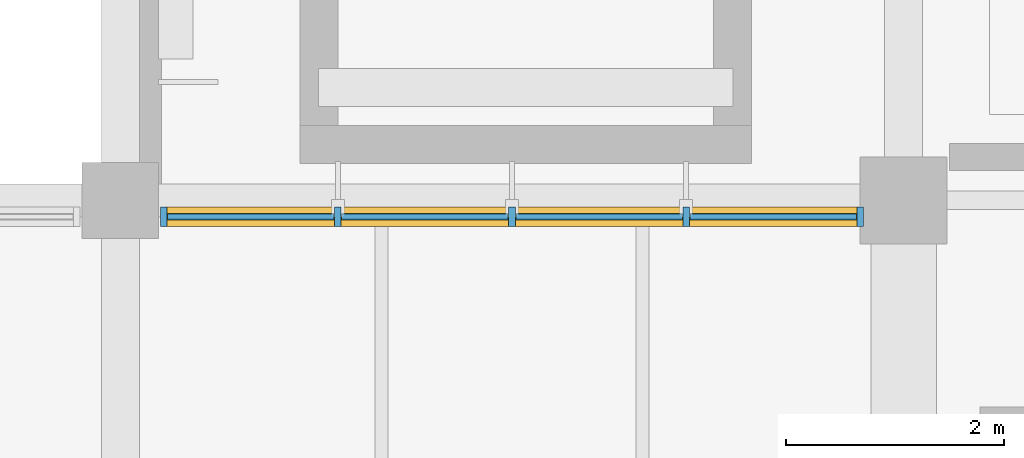
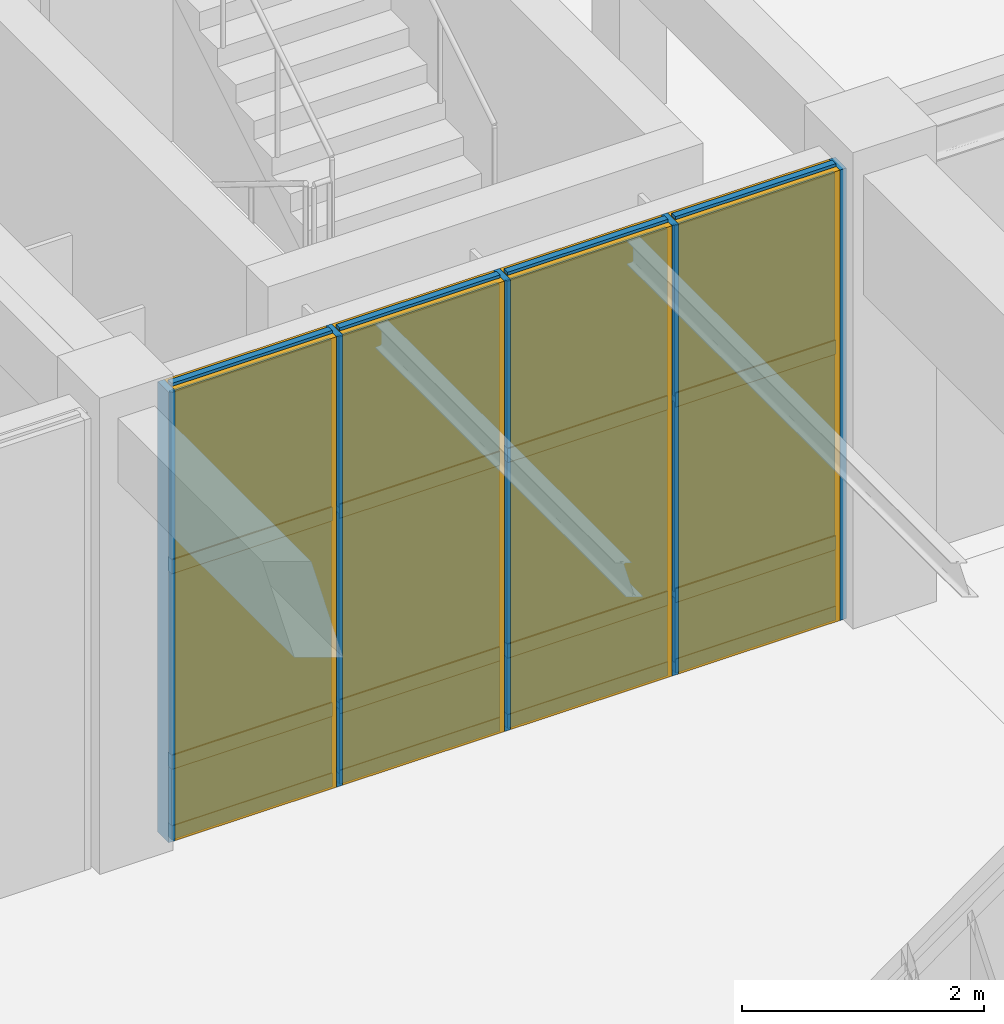
# One storey, part 76 of 122: 21 members, 12 plates, 1 curtain wall.
"""IFC4 building model written with IfcOpenShell, lengths in metres."""

from ifc_helpers import new_model, si_unit, direction, frame, frame_2d, origin, origin_2d, place, context, subcontext, project, spatial, rectangle, extrude, material, layer, layer_set, material_profile, profile_set, type_object, element, aggregate, save


model = new_model("IFC4")

# Units and contexts
model_context = context("Model", 3, precision=1e-05, world=origin(), true_north=direction((0.0, 1.0)))
body_context = subcontext(model_context, "Body", "Model", "MODEL_VIEW")
ifc_project = project(units=[si_unit("LENGTHUNIT", "METRE"), si_unit("AREAUNIT", "SQUARE_METRE"), si_unit("VOLUMEUNIT", "CUBIC_METRE"), si_unit("PLANEANGLEUNIT", "RADIAN"), si_unit("MASSUNIT", "GRAM", prefix="KILO")], contexts=[model_context])

# Member
ifc_material_1 = material(Name="Anodised Bronze Aluminium 6063-T6", Category="aluminium")
ifc_material_profile_1 = material_profile(ifc_material_1, rectangle(XDim=0.06005859375, YDim=0.179931640625, at=origin_2d()), Name="ALU MULLION 60x180")
ifc_profile_set_1 = profile_set([ifc_material_profile_1], Name="Anodised Bronze Aluminium 6063-T6")
member_type_1 = type_object("IfcMemberType", Name="Curtain-Wall Primary Mullion 60x180", PredefinedType="MULLION", material=ifc_profile_set_1)
site_placement = place(None, origin())
building_placement = place(site_placement, origin())
storey_placement = place(building_placement, origin())
member_1_placement = place(storey_placement, frame((50.800048828125, 51.64990234375, 0.0), z_axis=(0.0, 0.0, 1.0), x_axis=(1.0, 0.0, 0.0)))
member_1 = element("IfcMember", 1, at=member_1_placement, type_object=member_type_1, Name="Mullion CWM-01 CW-WLNK-N-L00-B4-M01", PredefinedType="MULLION", context=body_context, shape_type="SweptSolid", body=[
    extrude(rectangle(XDim=0.06005859375, YDim=0.179931640625, at=origin_2d()), origin(), (0.0, 0.0, 1.0), 4.5400390625),
])

member_2_placement = place(storey_placement, frame((52.39990234375, 51.64990234375, 0.0), z_axis=(0.0, 0.0, 1.0), x_axis=(1.0, 0.0, 0.0)))
member_2 = element("IfcMember", 2, at=member_2_placement, type_object=member_type_1, Name="Mullion CWM-01 CW-WLNK-N-L00-B4-M02", PredefinedType="MULLION", context=body_context, shape_type="SweptSolid", body=[
    extrude(rectangle(XDim=0.06005859375, YDim=0.179931640625, at=origin_2d()), origin(), (0.0, 0.0, 1.0), 4.5400390625),
])

member_3_placement = place(storey_placement, frame((54.0, 51.64990234375, 0.0), z_axis=(0.0, 0.0, 1.0), x_axis=(1.0, 0.0, 0.0)))
member_3 = element("IfcMember", 3, at=member_3_placement, type_object=member_type_1, Name="Mullion CWM-01 CW-WLNK-N-L00-B4-M03", PredefinedType="MULLION", context=body_context, shape_type="SweptSolid", body=[
    extrude(rectangle(XDim=0.06005859375, YDim=0.179931640625, at=origin_2d()), origin(), (0.0, 0.0, 1.0), 4.5400390625),
])

member_4_placement = place(storey_placement, frame((55.60009765625, 51.64990234375, 0.0), z_axis=(0.0, 0.0, 1.0), x_axis=(1.0, 0.0, 0.0)))
member_4 = element("IfcMember", 4, at=member_4_placement, type_object=member_type_1, Name="Mullion CWM-01 CW-WLNK-N-L00-B4-M04", PredefinedType="MULLION", context=body_context, shape_type="SweptSolid", body=[
    extrude(rectangle(XDim=0.06005859375, YDim=0.179931640625, at=origin_2d()), origin(), (0.0, 0.0, 1.0), 4.5400390625),
])

member_5_placement = place(storey_placement, frame((57.199951171875, 51.64990234375, 0.0), z_axis=(0.0, 0.0, 1.0), x_axis=(1.0, 0.0, 0.0)))
member_5 = element("IfcMember", 5, at=member_5_placement, type_object=member_type_1, Name="Mullion CWM-01 CW-WLNK-N-L00-B4-M05", PredefinedType="MULLION", context=body_context, shape_type="SweptSolid", body=[
    extrude(rectangle(XDim=0.06005859375, YDim=0.179931640625, at=origin_2d()), origin(), (0.0, 0.0, 1.0), 4.5400390625),
])

ifc_material_profile_2 = material_profile(ifc_material_1, rectangle(XDim=0.06005859375, YDim=0.139892578125, at=origin_2d()), Name="ALU TRANSOM 60x140")
ifc_profile_set_2 = profile_set([ifc_material_profile_2], Name="Anodised Bronze Aluminium 6063-T6")
member_type_2 = type_object("IfcMemberType", Name="Curtain-Wall Transom 60x140", PredefinedType="USERDEFINED", material=ifc_profile_set_2)
member_6_placement = place(storey_placement, frame((50.8349609375, 51.64990234375, 0.0400390625), z_axis=(1.0, 0.0, 0.0), x_axis=(0.0, 1.0, 0.0)))
member_6 = element("IfcMember", 6, at=member_6_placement, type_object=member_type_2, Name="Transom CWT-01 CW-WLNK-N-L00-B4-T01.1", ObjectType="TRANSOM", PredefinedType="USERDEFINED", context=body_context, shape_type="SweptSolid", body=[
    extrude(rectangle(XDim=0.06005859375, YDim=0.139892578125, at=origin_2d()), origin(), (0.0, 0.0, 1.0), 1.530029296875),
])

member_7_placement = place(storey_placement, frame((50.8349609375, 51.64990234375, 0.75), z_axis=(1.0, 0.0, 0.0), x_axis=(0.0, 1.0, 0.0)))
member_7 = element("IfcMember", 7, at=member_7_placement, type_object=member_type_2, Name="Transom CWT-01 CW-WLNK-N-L00-B4-T01.2", ObjectType="TRANSOM", PredefinedType="USERDEFINED", context=body_context, shape_type="SweptSolid", body=[
    extrude(rectangle(XDim=0.06005859375, YDim=0.139892578125, at=origin_2d()), origin(), (0.0, 0.0, 1.0), 1.530029296875),
])

member_8_placement = place(storey_placement, frame((50.8349609375, 51.64990234375, 2.720703125), z_axis=(1.0, 0.0, 0.0), x_axis=(0.0, 1.0, 0.0)))
member_8 = element("IfcMember", 8, at=member_8_placement, type_object=member_type_2, Name="Transom CWT-01 CW-WLNK-N-L00-B4-T01.3", ObjectType="TRANSOM", PredefinedType="USERDEFINED", context=body_context, shape_type="SweptSolid", body=[
    extrude(rectangle(XDim=0.06005859375, YDim=0.139892578125, at=origin_2d()), origin(), (0.0, 0.0, 1.0), 1.530029296875),
])

member_9_placement = place(storey_placement, frame((50.8349609375, 51.64990234375, 4.5), z_axis=(1.0, 0.0, 0.0), x_axis=(0.0, 1.0, 0.0)))
member_9 = element("IfcMember", 9, at=member_9_placement, type_object=member_type_2, Name="Transom CWT-01 CW-WLNK-N-L00-B4-T01.4", ObjectType="TRANSOM", PredefinedType="USERDEFINED", context=body_context, shape_type="SweptSolid", body=[
    extrude(rectangle(XDim=0.06005859375, YDim=0.139892578125, at=origin_2d()), origin(), (0.0, 0.0, 1.0), 1.530029296875),
])

member_10_placement = place(storey_placement, frame((52.43505859375, 51.64990234375, 0.0400390625), z_axis=(1.0, 0.0, 0.0), x_axis=(0.0, 1.0, 0.0)))
member_10 = element("IfcMember", 10, at=member_10_placement, type_object=member_type_2, Name="Transom CWT-01 CW-WLNK-N-L00-B4-T02.1", ObjectType="TRANSOM", PredefinedType="USERDEFINED", context=body_context, shape_type="SweptSolid", body=[
    extrude(rectangle(XDim=0.06005859375, YDim=0.139892578125, at=origin_2d()), origin(), (0.0, 0.0, 1.0), 1.530029296875),
])

member_11_placement = place(storey_placement, frame((52.43505859375, 51.64990234375, 0.75), z_axis=(1.0, 0.0, 0.0), x_axis=(0.0, 1.0, 0.0)))
member_11 = element("IfcMember", 11, at=member_11_placement, type_object=member_type_2, Name="Transom CWT-01 CW-WLNK-N-L00-B4-T02.2", ObjectType="TRANSOM", PredefinedType="USERDEFINED", context=body_context, shape_type="SweptSolid", body=[
    extrude(rectangle(XDim=0.06005859375, YDim=0.139892578125, at=origin_2d()), origin(), (0.0, 0.0, 1.0), 1.530029296875),
])

member_12_placement = place(storey_placement, frame((52.43505859375, 51.64990234375, 2.720703125), z_axis=(1.0, 0.0, 0.0), x_axis=(0.0, 1.0, 0.0)))
member_12 = element("IfcMember", 12, at=member_12_placement, type_object=member_type_2, Name="Transom CWT-01 CW-WLNK-N-L00-B4-T02.3", ObjectType="TRANSOM", PredefinedType="USERDEFINED", context=body_context, shape_type="SweptSolid", body=[
    extrude(rectangle(XDim=0.06005859375, YDim=0.139892578125, at=origin_2d()), origin(), (0.0, 0.0, 1.0), 1.530029296875),
])

member_13_placement = place(storey_placement, frame((52.43505859375, 51.64990234375, 4.5), z_axis=(1.0, 0.0, 0.0), x_axis=(0.0, 1.0, 0.0)))
member_13 = element("IfcMember", 13, at=member_13_placement, type_object=member_type_2, Name="Transom CWT-01 CW-WLNK-N-L00-B4-T02.4", ObjectType="TRANSOM", PredefinedType="USERDEFINED", context=body_context, shape_type="SweptSolid", body=[
    extrude(rectangle(XDim=0.06005859375, YDim=0.139892578125, at=origin_2d()), origin(), (0.0, 0.0, 1.0), 1.530029296875),
])

member_14_placement = place(storey_placement, frame((54.034912109375, 51.64990234375, 0.0400390625), z_axis=(1.0, 0.0, 0.0), x_axis=(0.0, 1.0, 0.0)))
member_14 = element("IfcMember", 14, at=member_14_placement, type_object=member_type_2, Name="Transom CWT-01 CW-WLNK-N-L00-B4-T03.1", ObjectType="TRANSOM", PredefinedType="USERDEFINED", context=body_context, shape_type="SweptSolid", body=[
    extrude(rectangle(XDim=0.06005859375, YDim=0.139892578125, at=origin_2d()), origin(), (0.0, 0.0, 1.0), 1.530029296875),
])

member_15_placement = place(storey_placement, frame((54.034912109375, 51.64990234375, 0.75), z_axis=(1.0, 0.0, 0.0), x_axis=(0.0, 1.0, 0.0)))
member_15 = element("IfcMember", 15, at=member_15_placement, type_object=member_type_2, Name="Transom CWT-01 CW-WLNK-N-L00-B4-T03.2", ObjectType="TRANSOM", PredefinedType="USERDEFINED", context=body_context, shape_type="SweptSolid", body=[
    extrude(rectangle(XDim=0.06005859375, YDim=0.139892578125, at=origin_2d()), origin(), (0.0, 0.0, 1.0), 1.530029296875),
])

member_16_placement = place(storey_placement, frame((54.034912109375, 51.64990234375, 2.720703125), z_axis=(1.0, 0.0, 0.0), x_axis=(0.0, 1.0, 0.0)))
member_16 = element("IfcMember", 16, at=member_16_placement, type_object=member_type_2, Name="Transom CWT-01 CW-WLNK-N-L00-B4-T03.3", ObjectType="TRANSOM", PredefinedType="USERDEFINED", context=body_context, shape_type="SweptSolid", body=[
    extrude(rectangle(XDim=0.06005859375, YDim=0.139892578125, at=origin_2d()), origin(), (0.0, 0.0, 1.0), 1.530029296875),
])

member_17_placement = place(storey_placement, frame((54.034912109375, 51.64990234375, 4.5), z_axis=(1.0, 0.0, 0.0), x_axis=(0.0, 1.0, 0.0)))
member_17 = element("IfcMember", 17, at=member_17_placement, type_object=member_type_2, Name="Transom CWT-01 CW-WLNK-N-L00-B4-T03.4", ObjectType="TRANSOM", PredefinedType="USERDEFINED", context=body_context, shape_type="SweptSolid", body=[
    extrude(rectangle(XDim=0.06005859375, YDim=0.139892578125, at=origin_2d()), origin(), (0.0, 0.0, 1.0), 1.530029296875),
])

member_18_placement = place(storey_placement, frame((55.635009765625, 51.64990234375, 0.0400390625), z_axis=(1.0, 0.0, 0.0), x_axis=(0.0, 1.0, 0.0)))
member_18 = element("IfcMember", 18, at=member_18_placement, type_object=member_type_2, Name="Transom CWT-01 CW-WLNK-N-L00-B4-T04.1", ObjectType="TRANSOM", PredefinedType="USERDEFINED", context=body_context, shape_type="SweptSolid", body=[
    extrude(rectangle(XDim=0.06005859375, YDim=0.139892578125, at=origin_2d()), origin(), (0.0, 0.0, 1.0), 1.530029296875),
])

member_19_placement = place(storey_placement, frame((55.635009765625, 51.64990234375, 0.75), z_axis=(1.0, 0.0, 0.0), x_axis=(0.0, 1.0, 0.0)))
member_19 = element("IfcMember", 19, at=member_19_placement, type_object=member_type_2, Name="Transom CWT-01 CW-WLNK-N-L00-B4-T04.2", ObjectType="TRANSOM", PredefinedType="USERDEFINED", context=body_context, shape_type="SweptSolid", body=[
    extrude(rectangle(XDim=0.06005859375, YDim=0.139892578125, at=origin_2d()), origin(), (0.0, 0.0, 1.0), 1.530029296875),
])

member_20_placement = place(storey_placement, frame((55.635009765625, 51.64990234375, 2.720703125), z_axis=(1.0, 0.0, 0.0), x_axis=(0.0, 1.0, 0.0)))
member_20 = element("IfcMember", 20, at=member_20_placement, type_object=member_type_2, Name="Transom CWT-01 CW-WLNK-N-L00-B4-T04.3", ObjectType="TRANSOM", PredefinedType="USERDEFINED", context=body_context, shape_type="SweptSolid", body=[
    extrude(rectangle(XDim=0.06005859375, YDim=0.139892578125, at=origin_2d()), origin(), (0.0, 0.0, 1.0), 1.530029296875),
])

member_21_placement = place(storey_placement, frame((55.635009765625, 51.64990234375, 4.5), z_axis=(1.0, 0.0, 0.0), x_axis=(0.0, 1.0, 0.0)))
member_21 = element("IfcMember", 21, at=member_21_placement, type_object=member_type_2, Name="Transom CWT-01 CW-WLNK-N-L00-B4-T04.4", ObjectType="TRANSOM", PredefinedType="USERDEFINED", context=body_context, shape_type="SweptSolid", body=[
    extrude(rectangle(XDim=0.06005859375, YDim=0.139892578125, at=origin_2d()), origin(), (0.0, 0.0, 1.0), 1.530029296875),
])

# Plate
ifc_material_2 = material(Name="Insulated Bronze Aluminium Spandrel Panel", Category="aluminium")
ifc_layer_1 = layer(ifc_material_2, 0.050048828125, Name="Insulated Bronze Aluminium Spandrel Panel")
ifc_layer_set_1 = layer_set([ifc_layer_1], Name="Insulated Bronze Aluminium Spandrel Panel")
plate_type_1 = type_object("IfcPlateType", Name="Insulated Anodised Aluminium Spandrel Cassette 50", PredefinedType="CURTAIN_PANEL", material=ifc_layer_set_1)
plate_1_placement = place(storey_placement, frame((51.60009765625, 51.64990234375, 0.070068359375), z_axis=(0.0, 0.0, 1.0), x_axis=(1.0, 0.0, 0.0)))
plate_1 = element("IfcPlate", 22, at=plate_1_placement, type_object=plate_type_1, Name="Curtain Panel CWP-03 CW-WLNK-N-L00-B4-P01.1", PredefinedType="CURTAIN_PANEL", context=body_context, shape_type="SweptSolid", body=[
    extrude(rectangle(XDim=1.530029296875, YDim=0.050048828125, at=origin_2d()), origin(), (0.0, 0.0, 1.0), 0.64990234375),
])

plate_2_placement = place(storey_placement, frame((53.199951171875, 51.64990234375, 0.070068359375), z_axis=(0.0, 0.0, 1.0), x_axis=(1.0, 0.0, 0.0)))
plate_2 = element("IfcPlate", 23, at=plate_2_placement, type_object=plate_type_1, Name="Curtain Panel CWP-03 CW-WLNK-N-L00-B4-P02.1", PredefinedType="CURTAIN_PANEL", context=body_context, shape_type="SweptSolid", body=[
    extrude(rectangle(XDim=1.530029296875, YDim=0.050048828125, at=origin_2d()), origin(), (0.0, 0.0, 1.0), 0.64990234375),
])

plate_3_placement = place(storey_placement, frame((54.800048828125, 51.64990234375, 0.070068359375), z_axis=(0.0, 0.0, 1.0), x_axis=(1.0, 0.0, 0.0)))
plate_3 = element("IfcPlate", 24, at=plate_3_placement, type_object=plate_type_1, Name="Curtain Panel CWP-03 CW-WLNK-N-L00-B4-P03.1", PredefinedType="CURTAIN_PANEL", context=body_context, shape_type="SweptSolid", body=[
    extrude(rectangle(XDim=1.530029296875, YDim=0.050048828125, at=origin_2d()), origin(), (0.0, 0.0, 1.0), 0.64990234375),
])

plate_4_placement = place(storey_placement, frame((56.39990234375, 51.64990234375, 0.070068359375), z_axis=(0.0, 0.0, 1.0), x_axis=(1.0, 0.0, 0.0)))
plate_4 = element("IfcPlate", 25, at=plate_4_placement, type_object=plate_type_1, Name="Curtain Panel CWP-03 CW-WLNK-N-L00-B4-P04.1", PredefinedType="CURTAIN_PANEL", context=body_context, shape_type="SweptSolid", body=[
    extrude(rectangle(XDim=1.530029296875, YDim=0.050048828125, at=origin_2d()), origin(), (0.0, 0.0, 1.0), 0.64990234375),
])

ifc_material_3 = material(Name="Solar-Control Tempered Double Glazing", Category="glass")
ifc_layer_2 = layer(ifc_material_3, 0.0380859375, Name="Solar-Control Tempered Double Glazing")
ifc_layer_set_2 = layer_set([ifc_layer_2], Name="Solar-Control Tempered Double Glazing")
plate_type_2 = type_object("IfcPlateType", Name="Solar-Control Vision Glazing Unit 38", PredefinedType="CURTAIN_PANEL", material=ifc_layer_set_2)
plate_5_placement = place(storey_placement, frame((51.60009765625, 51.64990234375, 0.77978515625), z_axis=(0.0, 0.0, 1.0), x_axis=(1.0, 0.0, 0.0)))
plate_5 = element("IfcPlate", 26, at=plate_5_placement, type_object=plate_type_2, Name="Curtain Panel CWP-02 CW-WLNK-N-L00-B4-P01.2", PredefinedType="CURTAIN_PANEL", context=body_context, shape_type="SweptSolid", body=[
    extrude(rectangle(XDim=1.530029296875, YDim=0.0380859375, at=origin_2d()), origin(), (0.0, 0.0, 1.0), 1.910888671875),
])

plate_6_placement = place(storey_placement, frame((51.60009765625, 51.64990234375, 2.750732421875), z_axis=(0.0, 0.0, 1.0), x_axis=(1.0, 0.0, 0.0)))
plate_6 = element("IfcPlate", 27, at=plate_6_placement, type_object=plate_type_2, Name="Curtain Panel CWP-02 CW-WLNK-N-L00-B4-P01.3", PredefinedType="CURTAIN_PANEL", context=body_context, shape_type="SweptSolid", body=[
    extrude(rectangle(XDim=1.530029296875, YDim=0.0380859375, at=origin_2d()), origin(), (0.0, 0.0, 1.0), 1.71923828125),
])

plate_7_placement = place(storey_placement, frame((53.199951171875, 51.64990234375, 0.77978515625), z_axis=(0.0, 0.0, 1.0), x_axis=(1.0, 0.0, 0.0)))
plate_7 = element("IfcPlate", 28, at=plate_7_placement, type_object=plate_type_2, Name="Curtain Panel CWP-02 CW-WLNK-N-L00-B4-P02.2", PredefinedType="CURTAIN_PANEL", context=body_context, shape_type="SweptSolid", body=[
    extrude(rectangle(XDim=1.530029296875, YDim=0.0380859375, at=origin_2d()), origin(), (0.0, 0.0, 1.0), 1.910888671875),
])

plate_8_placement = place(storey_placement, frame((53.199951171875, 51.64990234375, 2.750732421875), z_axis=(0.0, 0.0, 1.0), x_axis=(1.0, 0.0, 0.0)))
plate_8 = element("IfcPlate", 29, at=plate_8_placement, type_object=plate_type_2, Name="Curtain Panel CWP-02 CW-WLNK-N-L00-B4-P02.3", PredefinedType="CURTAIN_PANEL", context=body_context, shape_type="SweptSolid", body=[
    extrude(rectangle(XDim=1.530029296875, YDim=0.0380859375, at=origin_2d()), origin(), (0.0, 0.0, 1.0), 1.71923828125),
])

plate_9_placement = place(storey_placement, frame((54.800048828125, 51.64990234375, 0.77978515625), z_axis=(0.0, 0.0, 1.0), x_axis=(1.0, 0.0, 0.0)))
plate_9 = element("IfcPlate", 30, at=plate_9_placement, type_object=plate_type_2, Name="Curtain Panel CWP-02 CW-WLNK-N-L00-B4-P03.2", PredefinedType="CURTAIN_PANEL", context=body_context, shape_type="SweptSolid", body=[
    extrude(rectangle(XDim=1.530029296875, YDim=0.0380859375, at=origin_2d()), origin(), (0.0, 0.0, 1.0), 1.910888671875),
])

plate_10_placement = place(storey_placement, frame((54.800048828125, 51.64990234375, 2.750732421875), z_axis=(0.0, 0.0, 1.0), x_axis=(1.0, 0.0, 0.0)))
plate_10 = element("IfcPlate", 31, at=plate_10_placement, type_object=plate_type_2, Name="Curtain Panel CWP-02 CW-WLNK-N-L00-B4-P03.3", PredefinedType="CURTAIN_PANEL", context=body_context, shape_type="SweptSolid", body=[
    extrude(rectangle(XDim=1.530029296875, YDim=0.0380859375, at=origin_2d()), origin(), (0.0, 0.0, 1.0), 1.71923828125),
])

plate_11_placement = place(storey_placement, frame((56.39990234375, 51.64990234375, 0.77978515625), z_axis=(0.0, 0.0, 1.0), x_axis=(1.0, 0.0, 0.0)))
plate_11 = element("IfcPlate", 32, at=plate_11_placement, type_object=plate_type_2, Name="Curtain Panel CWP-02 CW-WLNK-N-L00-B4-P04.2", PredefinedType="CURTAIN_PANEL", context=body_context, shape_type="SweptSolid", body=[
    extrude(rectangle(XDim=1.530029296875, YDim=0.0380859375, at=origin_2d()), origin(), (0.0, 0.0, 1.0), 1.910888671875),
])

plate_12_placement = place(storey_placement, frame((56.39990234375, 51.64990234375, 2.750732421875), z_axis=(0.0, 0.0, 1.0), x_axis=(1.0, 0.0, 0.0)))
plate_12 = element("IfcPlate", 33, at=plate_12_placement, type_object=plate_type_2, Name="Curtain Panel CWP-02 CW-WLNK-N-L00-B4-P04.3", PredefinedType="CURTAIN_PANEL", context=body_context, shape_type="SweptSolid", body=[
    extrude(rectangle(XDim=1.530029296875, YDim=0.0380859375, at=origin_2d()), origin(), (0.0, 0.0, 1.0), 1.71923828125),
])

# Site, building, storey
site = spatial("IfcSite", under=ifc_project, at=site_placement, CompositionType="ELEMENT")
building = spatial("IfcBuilding", under=site, at=building_placement, Name="Tazoul Stagehouse", CompositionType="ELEMENT")
storey = spatial("IfcBuildingStorey", under=building, at=storey_placement, Name="L00", CompositionType="ELEMENT", Elevation=0.0)

# Curtain wall
curtain_wall_type = type_object("IfcCurtainWallType", Name="Atrium Clerestory Glazed Wall", PredefinedType="NOTDEFINED", material=ifc_material_1)
curtain_wall_placement = place(storey_placement, frame((50.800048828125, 51.64990234375, 0.0), z_axis=(0.0, 0.0, 1.0), x_axis=(1.0, 0.0, 0.0)))
curtain_wall = element("IfcCurtainWall", 34, at=curtain_wall_placement, inside=storey, type_object=curtain_wall_type, Name="L00 Curtain Wall CW-05 (CW-WLNK-N-L00-B4)", PredefinedType="NOTDEFINED", context=body_context, shape_type="SweptSolid", body=[
    extrude(rectangle(XDim=6.39990234375, YDim=0.179931640625, at=frame_2d((3.199951171875, 0.0))), origin(), (0.0, 0.0, 1.0), 4.5400390625),
])

aggregate(curtain_wall, [member_1, member_2, member_3, member_4, member_5, member_6, member_7, member_8, member_9, plate_1, plate_5, plate_6, member_10, member_11, member_12, member_13, plate_2, plate_7, plate_8, member_14, member_15, member_16, member_17, plate_3, plate_9, plate_10, member_18, member_19, member_20, member_21, plate_4, plate_11, plate_12])

save(model, "model.ifc")
